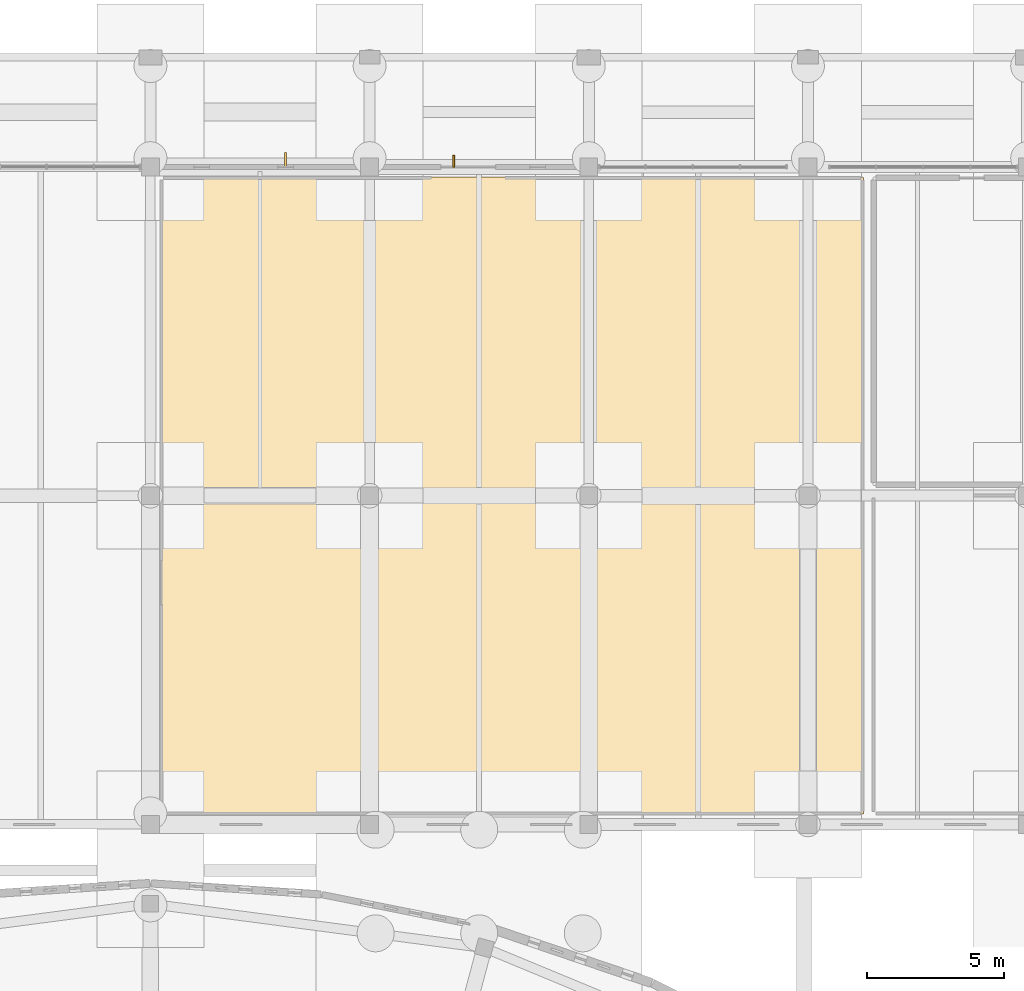
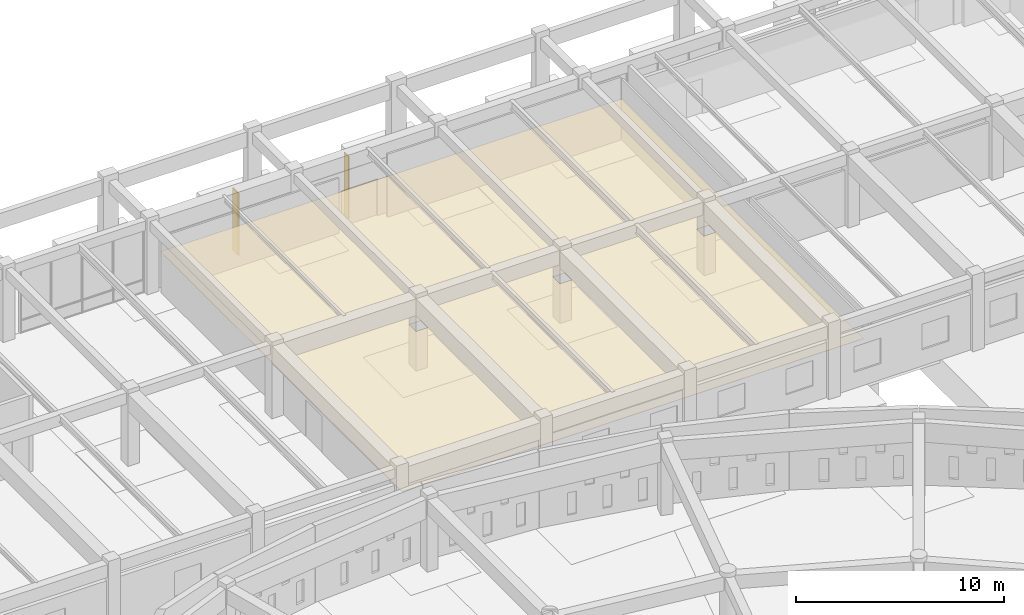
# One storey, part 74 of 84: 2 shading devices, 1 covering.
"""IFC4 building model written with IfcOpenShell, lengths in metres."""

from ifc_helpers import new_model, si_unit, direction, frame, origin, origin_2d, place, context, subcontext, project, spatial, polyline, rectangle, outline, extrude, material, layer, layer_set, type_object, element, save


model = new_model("IFC4")

# Units and contexts
model_context = context("Model", 3, precision=1e-05, world=origin(), true_north=direction((0.0, 1.0)))
body_context = subcontext(model_context, "Body", "Model", "MODEL_VIEW")
ifc_project = project(units=[si_unit("LENGTHUNIT", "METRE"), si_unit("AREAUNIT", "SQUARE_METRE"), si_unit("VOLUMEUNIT", "CUBIC_METRE"), si_unit("PLANEANGLEUNIT", "RADIAN"), si_unit("MASSUNIT", "GRAM", prefix="KILO")], contexts=[model_context])

# Site, building, storey
site_placement = place(None, origin())
site = spatial("IfcSite", under=ifc_project, at=site_placement, CompositionType="ELEMENT")
building_placement = place(site_placement, origin())
building = spatial("IfcBuilding", under=site, at=building_placement, Name="Larkveld Mobility Hub", CompositionType="ELEMENT")
storey_placement = place(building_placement, origin())
storey = spatial("IfcBuildingStorey", under=building, at=storey_placement, Name="L00", CompositionType="ELEMENT", Elevation=0.0)

# Covering
ifc_material_1 = material(Name="Moisture-resistant gypsum board ceiling", Category="masonry")
ifc_layer_1 = layer(ifc_material_1, 0.02490234375, Name="Moisture-resistant gypsum board ceiling", Category="masonry")
ifc_layer_set_1 = layer_set([ifc_layer_1], Name="Moisture-resistant gypsum board ceiling")
covering_type = type_object("IfcCoveringType", Name="CV-CLG-025", PredefinedType="CEILING", material=ifc_layer_set_1)
covering_placement = place(storey_placement, frame((0.0, 0.0, 2.324951171875)))
element("IfcCovering", 1, at=covering_placement, inside=storey, type_object=covering_type, Name="E-Cargo Micro-Mobility Logistics Hub Acoustic Ceiling 009", PredefinedType="CEILING", context=body_context, shape_type="SweptSolid", body=[
    extrude(outline(polyline([(48.4169921875, 98.3701171875), (48.4140625, 98.37109375), (48.410888671875, 98.37109375), (48.408935546875, 98.3720703125), (48.406005859375, 98.3740234375), (48.403076171875, 98.375), (48.40087890625, 98.376953125), (48.39892578125, 98.37890625), (48.37890625, 98.39892578125), (48.376953125, 98.40087890625), (48.375, 98.403076171875), (48.3740234375, 98.406005859375), (48.3720703125, 98.408935546875), (48.37109375, 98.410888671875), (48.37109375, 98.4140625), (48.3701171875, 98.4169921875), (48.3701171875, 98.419921875), (48.3759765625, 121.593994140625), (48.3759765625, 121.596923828125), (48.3759765625, 121.60009765625), (48.376953125, 121.60302734375), (48.3779296875, 121.60595703125), (48.37890625, 121.60791015625), (48.381103515625, 121.611083984375), (48.383056640625, 121.613037109375), (48.385009765625, 121.614990234375), (48.386962890625, 121.616943359375), (48.388916015625, 121.618896484375), (48.39208984375, 121.62109375), (48.39404296875, 121.6220703125), (48.39697265625, 121.623046875), (48.39990234375, 121.6240234375), (48.403076171875, 121.6240234375), (48.406005859375, 121.6240234375), (73.993896484375, 121.6240234375), (73.9970703125, 121.6240234375), (74.0, 121.6240234375), (74.0029296875, 121.623046875), (74.006103515625, 121.6220703125), (74.008056640625, 121.62109375), (74.010986328125, 121.618896484375), (74.012939453125, 121.616943359375), (74.014892578125, 121.614990234375), (74.01708984375, 121.613037109375), (74.01904296875, 121.611083984375), (74.02099609375, 121.60791015625), (74.02197265625, 121.60595703125), (74.02294921875, 121.60302734375), (74.02392578125, 121.60009765625), (74.02392578125, 121.596923828125), (74.02392578125, 121.593994140625), (74.02392578125, 98.406005859375), (74.02392578125, 98.403076171875), (74.02392578125, 98.39990234375), (74.02294921875, 98.39697265625), (74.02197265625, 98.39404296875), (74.02099609375, 98.39208984375), (74.01904296875, 98.388916015625), (74.01708984375, 98.386962890625), (74.014892578125, 98.385009765625), (74.012939453125, 98.383056640625), (74.010986328125, 98.381103515625), (74.008056640625, 98.37890625), (74.006103515625, 98.3779296875), (74.0029296875, 98.376953125), (74.0, 98.3759765625), (73.9970703125, 98.3759765625), (73.993896484375, 98.3759765625), (48.419921875, 98.3701171875), (48.4169921875, 98.3701171875)]), holes=[polyline([(55.669921875, 109.669921875), (56.330078125, 109.669921875), (56.330078125, 110.330078125), (55.669921875, 110.330078125), (55.669921875, 109.669921875)]), polyline([(63.669921875, 110.330078125), (63.669921875, 109.669921875), (64.330078125, 109.669921875), (64.330078125, 110.330078125), (63.669921875, 110.330078125)]), polyline([(71.669921875, 110.330078125), (71.669921875, 109.669921875), (72.330078125, 109.669921875), (72.330078125, 110.330078125), (71.669921875, 110.330078125)])]), origin(), (0.0, 0.0, 1.0), 0.025146484375),
])

# Shading devices
ifc_material_2 = material(Name="Precast concrete C50/60", Category="concrete")
ifc_layer_2 = layer(ifc_material_2, 0.06494140625, Name="Precast concrete C50/60", Category="concrete")
ifc_layer_set_2 = layer_set([ifc_layer_2], Name="Precast concrete C50/60")
shading_device_type_1 = type_object("IfcShadingDeviceType", Name="SHD-JAL-01", PredefinedType="JALOUSIE", material=ifc_layer_set_2)
shading_device_1_placement = place(storey_placement, frame((59.06591796875, 122.205078125, 0.2998046875), z_axis=(0.0, 0.0, 1.0), x_axis=(1.0, 0.0, 0.0)))
element("IfcShadingDevice", 2, at=shading_device_1_placement, inside=storey, type_object=shading_device_type_1, Name="North Facade Sunshade Fin NF-045", PredefinedType="JALOUSIE", context=body_context, shape_type="SweptSolid", body=[
    extrude(rectangle(XDim=0.06494140625, YDim=0.449951171875, at=origin_2d()), origin(), (0.0, 0.0, 1.0), 3.659912109375),
])
ifc_layer_3 = layer(ifc_material_2, 0.074951171875, Name="Precast concrete C50/60", Category="concrete")
ifc_layer_set_3 = layer_set([ifc_layer_3], Name="Precast concrete C50/60")
shading_device_type_2 = type_object("IfcShadingDeviceType", Name="SHD-JAL-02", PredefinedType="JALOUSIE", material=ifc_layer_set_3)
shading_device_2_placement = place(storey_placement, frame((52.93408203125, 122.2548828125, 0.2998046875), z_axis=(0.0, 0.0, 1.0), x_axis=(1.0, 0.0, 0.0)))
element("IfcShadingDevice", 3, at=shading_device_2_placement, inside=storey, type_object=shading_device_type_2, Name="North Facade Sunshade Fin NF-046", PredefinedType="JALOUSIE", context=body_context, shape_type="SweptSolid", body=[
    extrude(rectangle(XDim=0.074951171875, YDim=0.550048828125, at=origin_2d()), origin(), (0.0, 0.0, 1.0), 3.659912109375),
])

save(model, "model.ifc")
